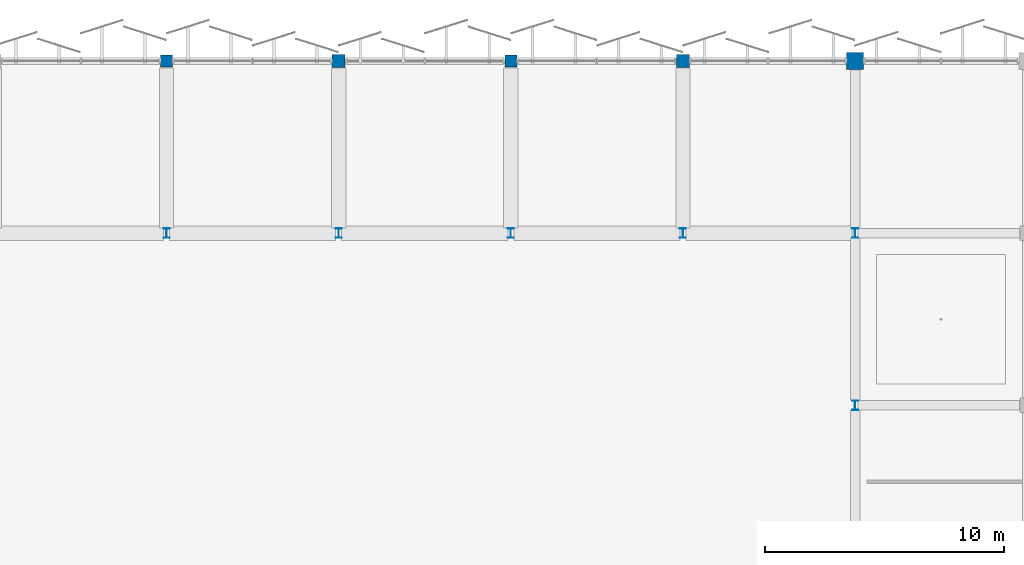
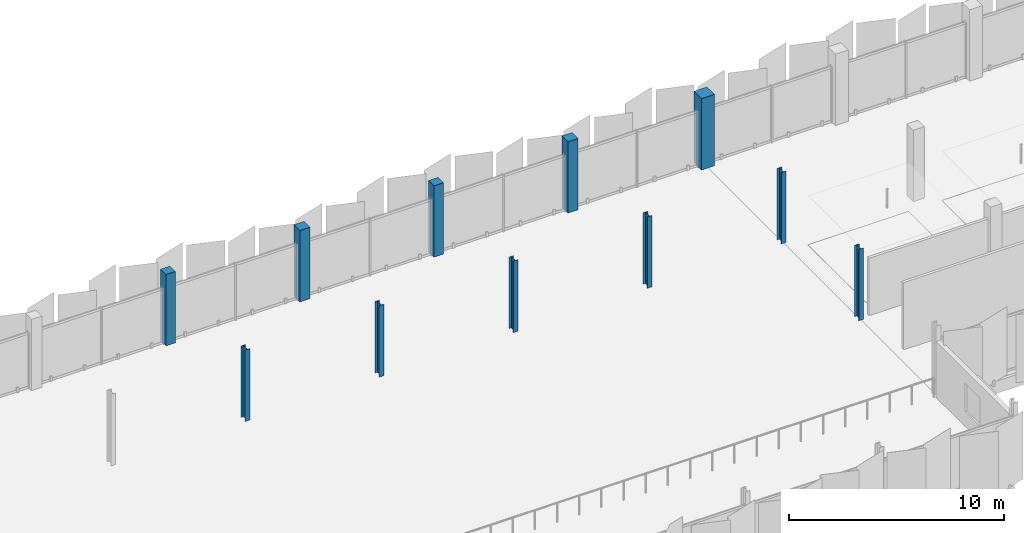
# One storey, part 11 of 107: 11 columns.
"""IFC4 building model written with IfcOpenShell, lengths in metres."""

from ifc_helpers import new_model, si_unit, direction, frame, origin, origin_2d, place, context, subcontext, project, spatial, rectangle, i_section, extrude, material, material_profile, profile_set, type_object, element, save


model = new_model("IFC4")

# Units and contexts
model_context = context("Model", 3, precision=1e-05, world=origin(), true_north=direction((0.0, 1.0)))
body_context = subcontext(model_context, "Body", "Model", "MODEL_VIEW")
ifc_project = project(units=[si_unit("LENGTHUNIT", "METRE"), si_unit("AREAUNIT", "SQUARE_METRE"), si_unit("VOLUMEUNIT", "CUBIC_METRE"), si_unit("PLANEANGLEUNIT", "RADIAN"), si_unit("MASSUNIT", "GRAM", prefix="KILO")], contexts=[model_context])

# Site, building, storey
site_placement = place(None, origin())
site = spatial("IfcSite", under=ifc_project, at=site_placement, CompositionType="ELEMENT")
building_placement = place(site_placement, origin())
building = spatial("IfcBuilding", under=site, at=building_placement, Name="Kangsadwip Square Police Headquarters", CompositionType="ELEMENT")
storey_placement = place(building_placement, frame((0.0, 0.0, 5.39990234375)))
storey = spatial("IfcBuildingStorey", under=building, at=storey_placement, Name="L01", CompositionType="ELEMENT", Elevation=5.39990234375)

# Columns
ifc_material_1 = material(Name="Concrete M35 (35 MPa)", Category="concrete")
ifc_material_profile_1 = material_profile(ifc_material_1, rectangle(XDim=0.5, YDim=0.5, at=origin_2d()), Name="RC COL 500X500")
ifc_profile_set_1 = profile_set([ifc_material_profile_1], Name="Concrete M35 (35 MPa)")
column_type_1 = type_object("IfcColumnType", Name="RcCol500x500", PredefinedType="COLUMN", material=ifc_profile_set_1)
for number, where, z_axis, x_axis, name in (
    (1, (64.800048828125, 115.199951171875, 0.0), (0.0, 0.0, 1.0), (1.0, 0.0, 0.0), "Column COL-L01-09-16"),
    (2, (79.199951171875, 115.199951171875, 0.0), (0.0, 0.0, 1.0), (1.0, 0.0, 0.0), "Column COL-L01-11-16"),
):
    element("IfcColumn", number, at=place(storey_placement, frame(where, z_axis=z_axis, x_axis=x_axis)), inside=storey, type_object=column_type_1, Name=name, PredefinedType="COLUMN", context=body_context, shape_type="SweptSolid", body=[
        extrude(rectangle(XDim=0.5, YDim=0.5, at=origin_2d()), origin(), (0.0, 0.0, 1.0), 4.050048828125),
    ])
ifc_material_2 = material(Name="Concrete M35 (35 MPa)", Category="concrete")
ifc_material_profile_2 = material_profile(ifc_material_2, rectangle(XDim=0.550048828125, YDim=0.550048828125, at=origin_2d()), Name="RC COL 550X550")
ifc_profile_set_2 = profile_set([ifc_material_profile_2], Name="Concrete M35 (35 MPa)")
column_type_2 = type_object("IfcColumnType", Name="RcCol550x550", PredefinedType="COLUMN", material=ifc_profile_set_2)
for number, where, z_axis, x_axis, name in (
    (3, (72.0, 115.199951171875, 0.0), (0.0, 0.0, 1.0), (1.0, 0.0, 0.0), "Column COL-L01-10-16"),
    (4, (86.39990234375, 115.199951171875, 0.0), (0.0, 0.0, 1.0), (1.0, 0.0, 0.0), "Column COL-L01-12-16"),
):
    element("IfcColumn", number, at=place(storey_placement, frame(where, z_axis=z_axis, x_axis=x_axis)), inside=storey, type_object=column_type_2, Name=name, PredefinedType="COLUMN", context=body_context, shape_type="SweptSolid", body=[
        extrude(rectangle(XDim=0.550048828125, YDim=0.550048828125, at=origin_2d()), origin(), (0.0, 0.0, 1.0), 4.050048828125),
    ])
ifc_material_3 = material(Name="Concrete M40 (40 MPa)", Category="concrete")
ifc_material_profile_3 = material_profile(ifc_material_3, rectangle(XDim=0.699951171875, YDim=0.699951171875, at=origin_2d()), Name="RC COL 700X700")
ifc_profile_set_3 = profile_set([ifc_material_profile_3], Name="Concrete M40 (40 MPa)")
column_type_3 = type_object("IfcColumnType", Name="RcCol700x700", PredefinedType="COLUMN", material=ifc_profile_set_3)
column_placement = place(storey_placement, frame((93.60009765625, 115.199951171875, 0.0), z_axis=(0.0, 0.0, 1.0), x_axis=(1.0, 0.0, 0.0)))
element("IfcColumn", 5, at=column_placement, inside=storey, type_object=column_type_3, Name="Column COL-L01-13-16", PredefinedType="COLUMN", context=body_context, shape_type="SweptSolid", body=[
    extrude(rectangle(XDim=0.699951171875, YDim=0.699951171875, at=origin_2d()), origin(), (0.0, 0.0, 1.0), 4.050048828125),
])
ifc_material_4 = material(Name="Structural steel IS 2062 E350 (Grade 350, 350 MPa)", Category="steel")
ifc_material_profile_4 = material_profile(ifc_material_4, i_section(OverallWidth=0.25, OverallDepth=0.39990234375, WebThickness=0.010498046875, FlangeThickness=0.0126953125, at=origin_2d()), Name="ISHB 400")
ifc_profile_set_4 = profile_set([ifc_material_profile_4], Name="Structural steel IS 2062 E350 (Grade 350, 350 MPa)")
column_type_4 = type_object("IfcColumnType", Name="SteelColIshb400", PredefinedType="COLUMN", material=ifc_profile_set_4)
for number, where, z_axis, x_axis, name in (
    (6, (64.800048828125, 108.0, 0.0), (0.0, 0.0, 1.0), (1.0, 0.0, 0.0), "Column COL-L01-09-15"),
    (7, (72.0, 108.0, 0.0), (0.0, 0.0, 1.0), (1.0, 0.0, 0.0), "Column COL-L01-10-15"),
    (8, (79.199951171875, 108.0, 0.0), (0.0, 0.0, 1.0), (1.0, 0.0, 0.0), "Column COL-L01-11-15"),
    (9, (86.39990234375, 108.0, 0.0), (0.0, 0.0, 1.0), (1.0, 0.0, 0.0), "Column COL-L01-12-15"),
    (10, (93.60009765625, 100.800048828125, 0.0), (0.0, 0.0, 1.0), (1.0, 0.0, 0.0), "Column COL-L01-13-14"),
    (11, (93.60009765625, 108.0, 0.0), (0.0, 0.0, 1.0), (1.0, 0.0, 0.0), "Column COL-L01-13-15"),
):
    element("IfcColumn", number, at=place(storey_placement, frame(where, z_axis=z_axis, x_axis=x_axis)), inside=storey, type_object=column_type_4, Name=name, PredefinedType="COLUMN", context=body_context, shape_type="SweptSolid", body=[
        extrude(i_section(OverallWidth=0.25, OverallDepth=0.39990234375, WebThickness=0.010498046875, FlangeThickness=0.0126953125, at=origin_2d()), origin(), (0.0, 0.0, 1.0), 4.050048828125),
    ])

save(model, "model.ifc")
